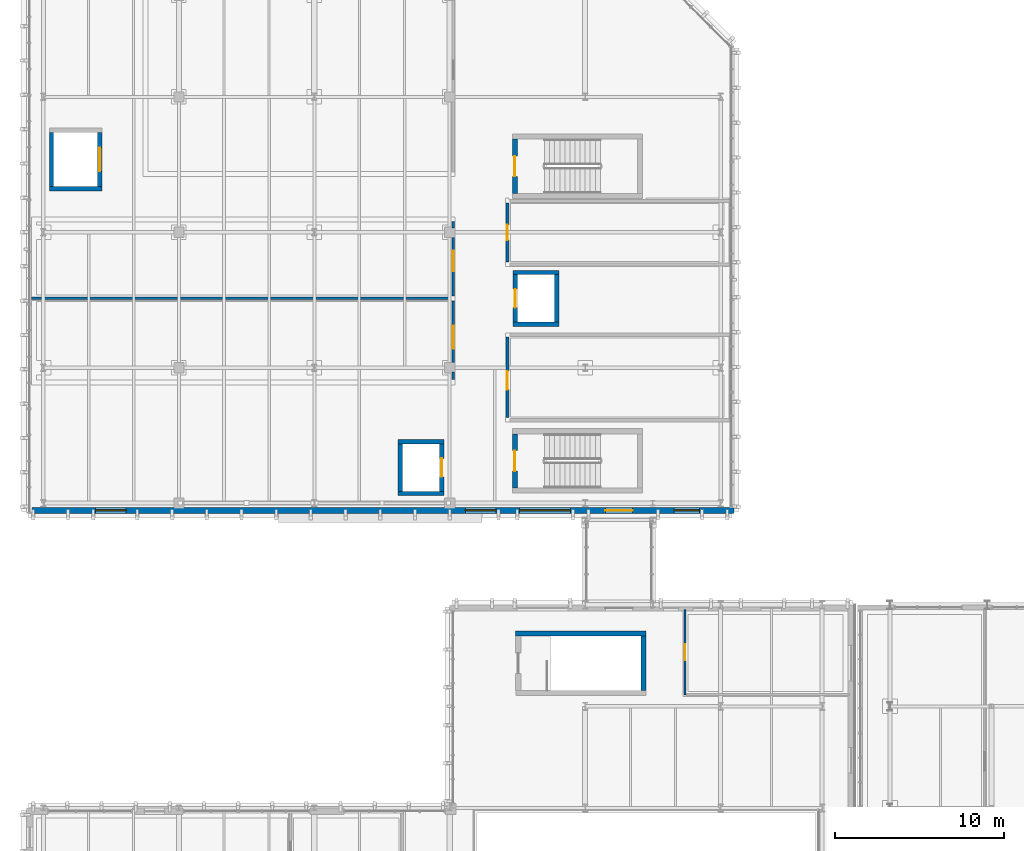
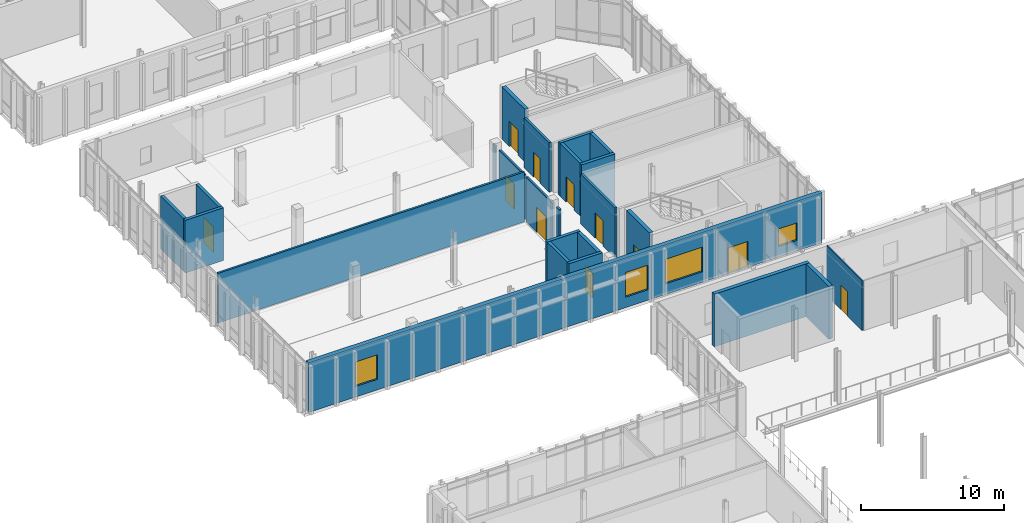
# One storey, part 69 of 100: 24 walls, 11 doors, 4 windows, 15 openings.
"""IFC4 building model written with IfcOpenShell, lengths in metres."""

from ifc_helpers import new_model, si_unit, direction, frame, frame_2d, origin, place, context, subcontext, project, spatial, rectangle, extrude, material, layer, layer_set, type_object, element, fill, save


model = new_model("IFC4")

# Units and contexts
model_context = context("Model", 3, precision=1e-05, world=origin(), true_north=direction((0.0, 1.0)))
body_context = subcontext(model_context, "Body", "Model", "MODEL_VIEW")
ifc_project = project(units=[si_unit("LENGTHUNIT", "METRE"), si_unit("AREAUNIT", "SQUARE_METRE"), si_unit("VOLUMEUNIT", "CUBIC_METRE"), si_unit("PLANEANGLEUNIT", "RADIAN"), si_unit("MASSUNIT", "GRAM", prefix="KILO")], contexts=[model_context])

# Site, building, storey
site_placement = place(None, origin())
site = spatial("IfcSite", under=ifc_project, at=site_placement, CompositionType="ELEMENT")
building_placement = place(site_placement, origin())
building = spatial("IfcBuilding", under=site, at=building_placement, Name="Cymarion Research Institute", CompositionType="ELEMENT")
storey_placement = place(building_placement, frame((0.0, 0.0, 9.300048828125)))
storey = spatial("IfcBuildingStorey", under=building, at=storey_placement, Name="L02", CompositionType="ELEMENT", Elevation=9.300048828125)

# Wall, openings, door, windows
ifc_material_1 = material(Name="Precast concrete C40/50", Category="concrete")
ifc_layer_1 = layer(ifc_material_1, 0.340087890625)
ifc_layer_set_1 = layer_set([ifc_layer_1], Name="Precast concrete C40/50")
wall_type_1 = type_object("IfcWallType", Name="EXTERIOR WALL EW-PC340 340MM", PredefinedType="SOLIDWALL", material=ifc_layer_set_1)
wall_1_placement = place(storey_placement, frame((5.922119140625, 47.070068359375, 0.0), z_axis=(0.0, 0.0, 1.0), x_axis=(1.0, 0.0, 0.0)))
wall_1 = element("IfcWall", 1, at=wall_1_placement, inside=storey, type_object=wall_type_1, Name="L02 V4 exterior wall EW-PC340 #154", PredefinedType="SOLIDWALL", context=body_context, shape_type="SweptSolid", body=[
    extrude(rectangle(XDim=41.477783203125, YDim=0.340087890625, at=frame_2d((20.73876953125, 0.0))), origin(), (0.0, 0.0, 1.0), 4.25),
])
opening_1_placement = place(wall_1_placement, frame((33.8779296875, 0.0, 0.0)))
opening_1 = element("IfcOpeningElement", 2, at=opening_1_placement, cuts=wall_1, Name="Opening D-SP1-L02-N", PredefinedType="OPENING", context=body_context, shape_type="SweptSolid", body=[
    extrude(rectangle(XDim=1.60009765625, YDim=2.199951171875, at=frame_2d((0.800048828125, 1.10009765625))), frame((0.0, 0.179931640625, 0.0), z_axis=(0.0, -1.0, 0.0), x_axis=(1.0, 0.0, 0.0)), (0.0, 0.0, 1.0), 0.360107421875),
])
opening_2_placement = place(wall_1_placement, frame((3.76806640625, 0.0, 0.89990234375)))
opening_2 = element("IfcOpeningElement", 3, at=opening_2_placement, cuts=wall_1, Name="Opening W10", PredefinedType="OPENING", context=body_context, shape_type="SweptSolid", body=[
    extrude(rectangle(XDim=1.800048828125, YDim=2.10009765625, at=frame_2d((0.89990234375, 1.050048828125))), frame((0.0, 0.179931640625, 0.0), z_axis=(0.0, -1.0, 0.0), x_axis=(1.0, 0.0, 0.0)), (0.0, 0.0, 1.0), 0.360107421875),
])
opening_3_placement = place(wall_1_placement, frame((25.60791015625, 0.0, 0.89990234375)))
opening_3 = element("IfcOpeningElement", 4, at=opening_3_placement, cuts=wall_1, Name="Opening W10", PredefinedType="OPENING", context=body_context, shape_type="SweptSolid", body=[
    extrude(rectangle(XDim=1.800048828125, YDim=2.10009765625, at=frame_2d((0.89990234375, 1.050048828125))), frame((0.0, 0.179931640625, 0.0), z_axis=(0.0, -1.0, 0.0), x_axis=(1.0, 0.0, 0.0)), (0.0, 0.0, 1.0), 0.360107421875),
])
opening_4_placement = place(wall_1_placement, frame((28.80810546875, 0.0, 0.89990234375)))
opening_4 = element("IfcOpeningElement", 5, at=opening_4_placement, cuts=wall_1, Name="Opening W14", PredefinedType="OPENING", context=body_context, shape_type="SweptSolid", body=[
    extrude(rectangle(XDim=3.0, YDim=2.10009765625, at=frame_2d((1.5, 1.050048828125))), frame((0.0, 0.179931640625, 0.0), z_axis=(0.0, -1.0, 0.0), x_axis=(1.0, 0.0, 0.0)), (0.0, 0.0, 1.0), 0.360107421875),
])
opening_5_placement = place(wall_1_placement, frame((37.927978515625, 0.0, 0.89990234375)))
opening_5 = element("IfcOpeningElement", 6, at=opening_5_placement, cuts=wall_1, Name="Opening W16", PredefinedType="OPENING", context=body_context, shape_type="SweptSolid", body=[
    extrude(rectangle(XDim=1.5, YDim=1.5, at=frame_2d((0.75, 0.75))), frame((0.0, 0.179931640625, 0.0), z_axis=(0.0, -1.0, 0.0), x_axis=(1.0, 0.0, 0.0)), (0.0, 0.0, 1.0), 0.360107421875),
])
ifc_material_2 = material(Name="Thermally broken anodised aluminium glazed door", Category="aluminium")
door_type_1 = type_object("IfcDoorType", Name="GLAZED ALUMINIUM TERRACE ACCESS DOOR DT-TR160 1600X2200", OperationType="NOTDEFINED", PredefinedType="DOOR", material=ifc_material_2)
door_1_placement = place(opening_1_placement, frame((1.60009765625, 0.0, 0.0), z_axis=(0.0, 0.0, 1.0), x_axis=(-1.0, 0.0, 0.0)))
door_1 = element("IfcDoor", 7, at=door_1_placement, inside=storey, type_object=door_type_1, Name="L02 V4 Sky-Passage Portal Door D-SP1-L02-N", OperationType="SINGLE_SWING_RIGHT", OverallHeight=2.199951171875, OverallWidth=1.60009765625, PredefinedType="DOOR", context=body_context, shape_type="SweptSolid", body=[
    extrude(rectangle(XDim=1.60009765625, YDim=2.199951171875, at=frame_2d((0.800048828125, 1.10009765625))), frame((0.0, 0.02490234375, 0.0), z_axis=(0.0, -1.0, 0.0), x_axis=(1.0, 0.0, 0.0)), (0.0, 0.0, 1.0), 0.050048828125),
])
fill(opening_1, door_1)
ifc_material_3 = material(Name="Thermally broken aluminium window with Low-E glazing", Category="aluminium")
window_type_1 = type_object("IfcWindowType", Name="THERMALLY BROKEN ALUMINIUM WINDOW W10 1800X2100", PartitioningType="DOUBLE_PANEL_VERTICAL", PredefinedType="WINDOW", material=ifc_material_3)
window_1_placement = place(opening_2_placement, origin())
window_1 = element("IfcWindow", 8, at=window_1_placement, inside=storey, type_object=window_type_1, Name="L02 V4 facade window W10 #279", OverallHeight=2.10009765625, OverallWidth=1.800048828125, PartitioningType="SINGLE_PANEL", PredefinedType="WINDOW", context=body_context, shape_type="SweptSolid", body=[
    extrude(rectangle(XDim=1.800048828125, YDim=2.10009765625, at=frame_2d((0.89990234375, 1.050048828125))), frame((0.0, 0.030029296875, 0.0), z_axis=(0.0, -1.0, 0.0), x_axis=(1.0, 0.0, 0.0)), (0.0, 0.0, 1.0), 0.06005859375),
])
fill(opening_2, window_1)
window_2_placement = place(opening_3_placement, origin())
window_2 = element("IfcWindow", 9, at=window_2_placement, inside=storey, type_object=window_type_1, Name="L02 V4 facade window W10 #280", OverallHeight=2.10009765625, OverallWidth=1.800048828125, PartitioningType="SINGLE_PANEL", PredefinedType="WINDOW", context=body_context, shape_type="SweptSolid", body=[
    extrude(rectangle(XDim=1.800048828125, YDim=2.10009765625, at=frame_2d((0.89990234375, 1.050048828125))), frame((0.0, 0.030029296875, 0.0), z_axis=(0.0, -1.0, 0.0), x_axis=(1.0, 0.0, 0.0)), (0.0, 0.0, 1.0), 0.06005859375),
])
fill(opening_3, window_2)
window_type_2 = type_object("IfcWindowType", Name="THERMALLY BROKEN ALUMINIUM WINDOW W14 3000X2100", PartitioningType="TRIPLE_PANEL_VERTICAL", PredefinedType="WINDOW", material=ifc_material_3)
window_3_placement = place(opening_4_placement, origin())
window_3 = element("IfcWindow", 10, at=window_3_placement, inside=storey, type_object=window_type_2, Name="L02 V4 facade window W14 #281", OverallHeight=2.10009765625, OverallWidth=3.0, PartitioningType="SINGLE_PANEL", PredefinedType="WINDOW", context=body_context, shape_type="SweptSolid", body=[
    extrude(rectangle(XDim=3.0, YDim=2.10009765625, at=frame_2d((1.5, 1.050048828125))), frame((0.0, 0.030029296875, 0.0), z_axis=(0.0, -1.0, 0.0), x_axis=(1.0, 0.0, 0.0)), (0.0, 0.0, 1.0), 0.06005859375),
])
fill(opening_4, window_3)
window_type_3 = type_object("IfcWindowType", Name="THERMALLY BROKEN ALUMINIUM WINDOW W16 1500X1500", PartitioningType="DOUBLE_PANEL_HORIZONTAL", PredefinedType="WINDOW", material=ifc_material_3)
window_4_placement = place(opening_5_placement, origin())
window_4 = element("IfcWindow", 11, at=window_4_placement, inside=storey, type_object=window_type_3, Name="L02 V4 facade window W16 #282", OverallHeight=1.5, OverallWidth=1.5, PartitioningType="SINGLE_PANEL", PredefinedType="WINDOW", context=body_context, shape_type="SweptSolid", body=[
    extrude(rectangle(XDim=1.5, YDim=1.5, at=frame_2d((0.75, 0.75))), frame((0.0, 0.030029296875, 0.0), z_axis=(0.0, -1.0, 0.0), x_axis=(1.0, 0.0, 0.0)), (0.0, 0.0, 1.0), 0.06005859375),
])
fill(opening_5, window_4)

# Walls
ifc_material_4 = material(Name="ISO cleanroom modular flush panel wall", Category="metal")
ifc_layer_2 = layer(ifc_material_4, 0.159912109375)
ifc_layer_set_2 = layer_set([ifc_layer_2], Name="ISO cleanroom modular flush panel wall")
wall_type_2 = type_object("IfcWallType", Name="INTERIOR PARTITION IW-CL160 160MM", PredefinedType="PARTITIONING", material=ifc_layer_set_2)
wall_2_placement = place(storey_placement, frame((5.885009765625, 59.60009765625, 0.0), z_axis=(0.0, 0.0, 1.0), x_axis=(1.0, 0.0, 0.0)))
element("IfcWall", 12, at=wall_2_placement, inside=storey, type_object=wall_type_2, Name="L02 V4 interior partition IW-CL160 #190", PredefinedType="PARTITIONING", context=body_context, shape_type="SweptSolid", body=[
    extrude(rectangle(XDim=24.764892578125, YDim=0.159912109375, at=frame_2d((12.38232421875, 0.0))), origin(), (0.0, 0.0, 1.0), 4.25),
])
wall_3_placement = place(storey_placement, frame((30.800048828125, 54.800048828125, 0.0), z_axis=(0.0, 0.0, 1.0), x_axis=(0.0, 1.0, 0.0)))
element("IfcWall", 13, at=wall_3_placement, inside=storey, type_object=wall_type_2, Name="L02 V4 interior partition IW-CL160 #191", PredefinedType="PARTITIONING", context=body_context, shape_type="SweptSolid", body=[
    extrude(rectangle(XDim=0.449951171875, YDim=0.159912109375, at=frame_2d((0.22509765625, 0.0))), origin(), (0.0, 0.0, 1.0), 3.849853515625),
])

# Wall, opening, door
wall_4_placement = place(storey_placement, frame((30.800048828125, 55.75, 0.0), z_axis=(0.0, 0.0, 1.0), x_axis=(0.0, 1.0, 0.0)))
wall_4 = element("IfcWall", 14, at=wall_4_placement, inside=storey, type_object=wall_type_2, Name="L02 V4 interior partition IW-CL160 #192", PredefinedType="PARTITIONING", context=body_context, shape_type="SweptSolid", body=[
    extrude(rectangle(XDim=3.699951171875, YDim=0.159912109375, at=frame_2d((1.85009765625, 0.0))), origin(), (0.0, 0.0, 1.0), 3.849853515625),
])
opening_6_placement = place(wall_4_placement, frame((0.873046875, 0.0, 0.0)))
opening_6 = element("IfcOpeningElement", 15, at=opening_6_placement, cuts=wall_4, Name="Opening D-L02-129", PredefinedType="OPENING", context=body_context, shape_type="SweptSolid", body=[
    extrude(rectangle(XDim=1.35009765625, YDim=2.14990234375, at=frame_2d((0.675048828125, 1.074951171875))), frame((0.0, 0.08984375, 0.0), z_axis=(0.0, -1.0, 0.0), x_axis=(1.0, 0.0, 0.0)), (0.0, 0.0, 1.0), 0.179931640625),
])
ifc_material_5 = material(Name="Flush acoustic timber/steel door assembly", Category="steel")
door_type_2 = type_object("IfcDoorType", Name="CLEANROOM GOWNING DOOR DT-CL135 1350X2150", OperationType="NOTDEFINED", PredefinedType="DOOR", material=ifc_material_5)
door_2_placement = place(opening_6_placement, origin())
door_2 = element("IfcDoor", 16, at=door_2_placement, inside=storey, type_object=door_type_2, Name="L02 Gowning Airlock door D-L02-129", OperationType="SINGLE_SWING_RIGHT", OverallHeight=2.14990234375, OverallWidth=1.35009765625, PredefinedType="DOOR", context=body_context, shape_type="SweptSolid", body=[
    extrude(rectangle(XDim=1.35009765625, YDim=2.14990234375, at=frame_2d((0.675048828125, 1.074951171875))), frame((0.0, 0.02490234375, 0.0), z_axis=(0.0, -1.0, 0.0), x_axis=(1.0, 0.0, 0.0)), (0.0, 0.0, 1.0), 0.050048828125),
])
fill(opening_6, door_2)

wall_5_placement = place(storey_placement, frame((30.800048828125, 59.75, 0.0), z_axis=(0.0, 0.0, 1.0), x_axis=(0.0, 1.0, 0.0)))
wall_5 = element("IfcWall", 17, at=wall_5_placement, inside=storey, type_object=wall_type_2, Name="L02 V4 interior partition IW-CL160 #193", PredefinedType="PARTITIONING", context=body_context, shape_type="SweptSolid", body=[
    extrude(rectangle(XDim=3.5, YDim=0.159912109375, at=frame_2d((1.75, 0.0))), origin(), (0.0, 0.0, 1.0), 3.849853515625),
])
opening_7_placement = place(wall_5_placement, frame((1.446044921875, 0.0, 0.0)))
opening_7 = element("IfcOpeningElement", 18, at=opening_7_placement, cuts=wall_5, Name="Opening D-L02-130", PredefinedType="OPENING", context=body_context, shape_type="SweptSolid", body=[
    extrude(rectangle(XDim=1.199951171875, YDim=2.14990234375, at=frame_2d((0.60009765625, 1.074951171875))), frame((0.0, 0.08984375, 0.0), z_axis=(0.0, -1.0, 0.0), x_axis=(1.0, 0.0, 0.0)), (0.0, 0.0, 1.0), 0.179931640625),
])
door_type_3 = type_object("IfcDoorType", Name="CLEANROOM AIRLOCK INTERLOCK DOOR DT-CL120 1200X2150", OperationType="NOTDEFINED", PredefinedType="DOOR", material=ifc_material_5)
door_3_placement = place(opening_7_placement, origin())
door_3 = element("IfcDoor", 19, at=door_3_placement, inside=storey, type_object=door_type_3, Name="L02 Cleanroom Bay door D-L02-130", OperationType="SINGLE_SWING_LEFT", OverallHeight=2.14990234375, OverallWidth=1.199951171875, PredefinedType="DOOR", context=body_context, shape_type="SweptSolid", body=[
    extrude(rectangle(XDim=1.199951171875, YDim=2.14990234375, at=frame_2d((0.60009765625, 1.074951171875))), frame((0.0, 0.02490234375, 0.0), z_axis=(0.0, -1.0, 0.0), x_axis=(1.0, 0.0, 0.0)), (0.0, 0.0, 1.0), 0.050048828125),
])
fill(opening_7, door_3)

# Wall
wall_6_placement = place(storey_placement, frame((30.800048828125, 63.75, 0.0), z_axis=(0.0, 0.0, 1.0), x_axis=(0.0, 1.0, 0.0)))
element("IfcWall", 20, at=wall_6_placement, inside=storey, type_object=wall_type_2, Name="L02 V4 interior partition IW-CL160 #194", PredefinedType="PARTITIONING", context=body_context, shape_type="SweptSolid", body=[
    extrude(rectangle(XDim=0.39990234375, YDim=0.159912109375, at=frame_2d((0.199951171875, 0.0))), origin(), (0.0, 0.0, 1.0), 3.849853515625),
])

# Wall, opening, door
ifc_material_6 = material(Name="Framed acoustic glass laboratory screen", Category="glass")
ifc_layer_3 = layer(ifc_material_6, 0.10009765625)
ifc_layer_set_3 = layer_set([ifc_layer_3], Name="Framed acoustic glass laboratory screen")
wall_type_3 = type_object("IfcWallType", Name="INTERIOR PARTITION IW-GL100 100MM", PredefinedType="PARTITIONING", material=ifc_layer_set_3)
wall_7_placement = place(storey_placement, frame((44.5, 36.199951171875, 0.0), z_axis=(0.0, 0.0, 1.0), x_axis=(0.0, 1.0, 0.0)))
wall_7 = element("IfcWall", 21, at=wall_7_placement, inside=storey, type_object=wall_type_3, Name="L02 V3 interior partition IW-GL100 #189", PredefinedType="PARTITIONING", context=body_context, shape_type="SweptSolid", body=[
    extrude(rectangle(XDim=4.9951171875, YDim=0.10009765625, at=frame_2d((2.49755859375, 0.0))), origin(), (0.0, 0.0, 1.0), 4.25),
])
opening_8_placement = place(wall_7_placement, frame((2.02294921875, 0.0, 0.0)))
opening_8 = element("IfcOpeningElement", 22, at=opening_8_placement, cuts=wall_7, Name="Opening D-L02-128", PredefinedType="OPENING", context=body_context, shape_type="SweptSolid", body=[
    extrude(rectangle(XDim=0.949951171875, YDim=2.10009765625, at=frame_2d((0.47509765625, 1.050048828125))), frame((0.0, 0.06005859375, 0.0), z_axis=(0.0, -1.0, 0.0), x_axis=(1.0, 0.0, 0.0)), (0.0, 0.0, 1.0), 0.1201171875),
])
door_type_4 = type_object("IfcDoorType", Name="FACULTY STUDY DOOR DT-OF095 950X2100", OperationType="NOTDEFINED", PredefinedType="DOOR", material=ifc_material_5)
door_4_placement = place(opening_8_placement, origin())
door_4 = element("IfcDoor", 23, at=door_4_placement, inside=storey, type_object=door_type_4, Name="L02 AV Booth door D-L02-128", OperationType="SINGLE_SWING_LEFT", OverallHeight=2.10009765625, OverallWidth=0.949951171875, PredefinedType="DOOR", context=body_context, shape_type="SweptSolid", body=[
    extrude(rectangle(XDim=0.949951171875, YDim=2.10009765625, at=frame_2d((0.47509765625, 1.050048828125))), frame((0.0, 0.02490234375, 0.0), z_axis=(0.0, -1.0, 0.0), x_axis=(1.0, 0.0, 0.0)), (0.0, 0.0, 1.0), 0.050048828125),
])
fill(opening_8, door_4)

ifc_material_7 = material(Name="Moisture-resistant laboratory partition", Category="gypsum")
ifc_layer_4 = layer(ifc_material_7, 0.179931640625)
ifc_layer_set_4 = layer_set([ifc_layer_4], Name="Moisture-resistant laboratory partition")
wall_type_4 = type_object("IfcWallType", Name="INTERIOR PARTITION IW-LB180 180MM", PredefinedType="PARTITIONING", material=ifc_layer_set_4)
wall_8_placement = place(storey_placement, frame((34.0, 52.550048828125, 0.0), z_axis=(0.0, 0.0, 1.0), x_axis=(0.0, 1.0, 0.0)))
wall_8 = element("IfcWall", 24, at=wall_8_placement, inside=storey, type_object=wall_type_4, Name="L02 V4 interior partition IW-LB180 #201", PredefinedType="PARTITIONING", context=body_context, shape_type="SweptSolid", body=[
    extrude(rectangle(XDim=4.77001953125, YDim=0.179931640625, at=frame_2d((2.385009765625, 0.0))), origin(), (0.0, 0.0, 1.0), 4.25),
])
opening_9_placement = place(wall_8_placement, frame((1.652099609375, 0.0, 0.0)))
opening_9 = element("IfcOpeningElement", 25, at=opening_9_placement, cuts=wall_8, Name="Opening D-L02-132", PredefinedType="OPENING", context=body_context, shape_type="SweptSolid", body=[
    extrude(rectangle(XDim=1.10009765625, YDim=2.14990234375, at=frame_2d((0.550048828125, 1.074951171875))), frame((0.0, 0.099853515625, 0.0), z_axis=(0.0, -1.0, 0.0), x_axis=(1.0, 0.0, 0.0)), (0.0, 0.0, 1.0), 0.199951171875),
])
door_type_5 = type_object("IfcDoorType", Name="LABORATORY WIDE SINGLE DOOR DT-LB110 1100X2150", OperationType="NOTDEFINED", PredefinedType="DOOR", material=ifc_material_5)
door_5_placement = place(opening_9_placement, origin())
door_5 = element("IfcDoor", 26, at=door_5_placement, inside=storey, type_object=door_type_5, Name="L02 East Lab Entry door D-L02-132", OperationType="SINGLE_SWING_LEFT", OverallHeight=2.14990234375, OverallWidth=1.10009765625, PredefinedType="DOOR", context=body_context, shape_type="SweptSolid", body=[
    extrude(rectangle(XDim=1.10009765625, YDim=2.14990234375, at=frame_2d((0.550048828125, 1.074951171875))), frame((0.0, 0.02490234375, 0.0), z_axis=(0.0, -1.0, 0.0), x_axis=(1.0, 0.0, 0.0)), (0.0, 0.0, 1.0), 0.050048828125),
])
fill(opening_9, door_5)

wall_9_placement = place(storey_placement, frame((34.0, 61.75, 0.0), z_axis=(0.0, 0.0, 1.0), x_axis=(0.0, 1.0, 0.0)))
wall_9 = element("IfcWall", 27, at=wall_9_placement, inside=storey, type_object=wall_type_4, Name="L02 V4 interior partition IW-LB180 #202", PredefinedType="PARTITIONING", context=body_context, shape_type="SweptSolid", body=[
    extrude(rectangle(XDim=3.469970703125, YDim=0.179931640625, at=frame_2d((1.73486328125, 0.0))), origin(), (0.0, 0.0, 1.0), 4.25),
])
opening_10_placement = place(wall_9_placement, frame((1.284912109375, 0.0, 0.0)))
opening_10 = element("IfcOpeningElement", 28, at=opening_10_placement, cuts=wall_9, Name="Opening D-L02-133", PredefinedType="OPENING", context=body_context, shape_type="SweptSolid", body=[
    extrude(rectangle(XDim=0.89990234375, YDim=2.10009765625, at=frame_2d((0.449951171875, 1.050048828125))), frame((0.0, 0.099853515625, 0.0), z_axis=(0.0, -1.0, 0.0), x_axis=(1.0, 0.0, 0.0)), (0.0, 0.0, 1.0), 0.199951171875),
])
door_type_6 = type_object("IfcDoorType", Name="ACCESSIBLE RESTROOM DOOR DT-WC090 900X2100", OperationType="NOTDEFINED", PredefinedType="DOOR", material=ifc_material_5)
door_6_placement = place(opening_10_placement, origin())
door_6 = element("IfcDoor", 29, at=door_6_placement, inside=storey, type_object=door_type_6, Name="L02 East WC Entry door D-L02-133", OperationType="SINGLE_SWING_RIGHT", OverallHeight=2.10009765625, OverallWidth=0.89990234375, PredefinedType="DOOR", context=body_context, shape_type="SweptSolid", body=[
    extrude(rectangle(XDim=0.89990234375, YDim=2.10009765625, at=frame_2d((0.449951171875, 1.050048828125))), frame((0.0, 0.02490234375, 0.0), z_axis=(0.0, -1.0, 0.0), x_axis=(1.0, 0.0, 0.0)), (0.0, 0.0, 1.0), 0.050048828125),
])
fill(opening_10, door_6)

# Walls
ifc_material_8 = material(Name="Concrete C40/50", Category="concrete")
ifc_layer_5 = layer(ifc_material_8, 0.25)
ifc_layer_set_5 = layer_set([ifc_layer_5], Name="Concrete C40/50")
wall_type_5 = type_object("IfcWallType", Name="REINFORCED CONCRETE CORE WALL CW-SH250 250MM", PredefinedType="SHEAR", material=ifc_layer_set_5)
for number, where, z_axis, x_axis, name in (
    (30, (27.550048828125, 48.074951171875, 0.0), (0.0, 0.0, 1.0), (1.0, 0.0, 0.0), "L02 LSH-LP1-L02 south core wall"),
    (31, (30.25, 51.125, 0.0), (0.0, 0.0, 1.0), (-1.0, 0.0, 0.0), "L02 LSH-LP1-L02 north core wall"),
):
    element("IfcWall", number, at=place(storey_placement, frame(where, z_axis=z_axis, x_axis=x_axis)), inside=storey, type_object=wall_type_5, Name=name, PredefinedType="SHEAR", context=body_context, shape_type="SweptSolid", body=[
        extrude(rectangle(XDim=2.699951171875, YDim=0.25, at=frame_2d((1.35009765625, 0.0))), origin(), (0.0, 0.0, 1.0), 4.5),
    ])
wall_10_placement = place(storey_placement, frame((27.675048828125, 51.0, 0.0), z_axis=(0.0, 0.0, 1.0), x_axis=(0.0, -1.0, 0.0)))
element("IfcWall", 32, at=wall_10_placement, inside=storey, type_object=wall_type_5, Name="L02 LSH-LP1-L02 west core wall", PredefinedType="SHEAR", context=body_context, shape_type="SweptSolid", body=[
    extrude(rectangle(XDim=2.800048828125, YDim=0.25, at=frame_2d((1.39990234375, 0.0))), origin(), (0.0, 0.0, 1.0), 4.5),
])

# Wall, opening, door
wall_11_placement = place(storey_placement, frame((30.125, 48.199951171875, 0.0), z_axis=(0.0, 0.0, 1.0), x_axis=(0.0, 1.0, 0.0)))
wall_11 = element("IfcWall", 33, at=wall_11_placement, inside=storey, type_object=wall_type_5, Name="L02 LSH-LP1-L02 east core wall", PredefinedType="SHEAR", context=body_context, shape_type="SweptSolid", body=[
    extrude(rectangle(XDim=2.800048828125, YDim=0.25, at=frame_2d((1.39990234375, 0.0))), origin(), (0.0, 0.0, 1.0), 4.5),
])
opening_11_placement = place(wall_11_placement, frame((0.85009765625, 0.0, 0.0)))
opening_11 = element("IfcOpeningElement", 34, at=opening_11_placement, cuts=wall_11, Name="Opening LD-LP1-L02", PredefinedType="OPENING", context=body_context, shape_type="SweptSolid", body=[
    extrude(rectangle(XDim=1.10009765625, YDim=2.14990234375, at=frame_2d((0.550048828125, 1.074951171875))), frame((0.0, 0.135009765625, 0.0), z_axis=(0.0, -1.0, 0.0), x_axis=(1.0, 0.0, 0.0)), (0.0, 0.0, 1.0), 0.27001953125),
])
ifc_material_9 = material(Name="Fire-rated insulated steel door assembly", Category="steel")
door_type_7 = type_object("IfcDoorType", Name="SLIDING LIFT LANDING DOOR DT-LD110 1100X2150", OperationType="DOUBLE_DOOR_SLIDING", PredefinedType="DOOR", material=ifc_material_9)
door_7_placement = place(opening_11_placement, origin())
door_7 = element("IfcDoor", 35, at=door_7_placement, inside=storey, type_object=door_type_7, Name="Lift LP1 landing door L02", OperationType="DOUBLE_DOOR_SLIDING", OverallHeight=2.14990234375, OverallWidth=1.10009765625, PredefinedType="DOOR", context=body_context, shape_type="SweptSolid", body=[
    extrude(rectangle(XDim=1.10009765625, YDim=2.14990234375, at=frame_2d((0.550048828125, 1.074951171875))), frame((0.0, 0.02490234375, 0.0), z_axis=(0.0, -1.0, 0.0), x_axis=(1.0, 0.0, 0.0)), (0.0, 0.0, 1.0), 0.050048828125),
])
fill(opening_11, door_7)

# Walls
for number, where, z_axis, x_axis, name in (
    (36, (34.35009765625, 58.074951171875, 0.0), (0.0, 0.0, 1.0), (1.0, 0.0, 0.0), "L02 LSH-LP4-L02 south core wall"),
    (37, (37.050048828125, 61.125, 0.0), (0.0, 0.0, 1.0), (-1.0, 0.0, 0.0), "L02 LSH-LP4-L02 north core wall"),
):
    element("IfcWall", number, at=place(storey_placement, frame(where, z_axis=z_axis, x_axis=x_axis)), inside=storey, type_object=wall_type_5, Name=name, PredefinedType="SHEAR", context=body_context, shape_type="SweptSolid", body=[
        extrude(rectangle(XDim=2.699951171875, YDim=0.25, at=frame_2d((1.35009765625, 0.0))), origin(), (0.0, 0.0, 1.0), 4.5),
    ])

# Wall, opening, door
wall_12_placement = place(storey_placement, frame((34.47509765625, 61.0, 0.0), z_axis=(0.0, 0.0, 1.0), x_axis=(0.0, -1.0, 0.0)))
wall_12 = element("IfcWall", 38, at=wall_12_placement, inside=storey, type_object=wall_type_5, Name="L02 LSH-LP4-L02 west core wall", PredefinedType="SHEAR", context=body_context, shape_type="SweptSolid", body=[
    extrude(rectangle(XDim=2.800048828125, YDim=0.25, at=frame_2d((1.39990234375, 0.0))), origin(), (0.0, 0.0, 1.0), 4.5),
])
opening_12_placement = place(wall_12_placement, frame((0.85009765625, 0.0, 0.0)))
opening_12 = element("IfcOpeningElement", 39, at=opening_12_placement, cuts=wall_12, Name="Opening LD-LP4-L02", PredefinedType="OPENING", context=body_context, shape_type="SweptSolid", body=[
    extrude(rectangle(XDim=1.10009765625, YDim=2.14990234375, at=frame_2d((0.550048828125, 1.074951171875))), frame((0.0, 0.135009765625, 0.0), z_axis=(0.0, -1.0, 0.0), x_axis=(1.0, 0.0, 0.0)), (0.0, 0.0, 1.0), 0.27001953125),
])
door_8_placement = place(opening_12_placement, origin())
door_8 = element("IfcDoor", 40, at=door_8_placement, inside=storey, type_object=door_type_7, Name="Lift LP4 landing door L02", OperationType="DOUBLE_DOOR_SLIDING", OverallHeight=2.14990234375, OverallWidth=1.10009765625, PredefinedType="DOOR", context=body_context, shape_type="SweptSolid", body=[
    extrude(rectangle(XDim=1.10009765625, YDim=2.14990234375, at=frame_2d((0.550048828125, 1.074951171875))), frame((0.0, 0.02490234375, 0.0), z_axis=(0.0, -1.0, 0.0), x_axis=(1.0, 0.0, 0.0)), (0.0, 0.0, 1.0), 0.050048828125),
])
fill(opening_12, door_8)

# Walls
wall_13_placement = place(storey_placement, frame((36.925048828125, 58.199951171875, 0.0), z_axis=(0.0, 0.0, 1.0), x_axis=(0.0, 1.0, 0.0)))
element("IfcWall", 41, at=wall_13_placement, inside=storey, type_object=wall_type_5, Name="L02 LSH-LP4-L02 east core wall", PredefinedType="SHEAR", context=body_context, shape_type="SweptSolid", body=[
    extrude(rectangle(XDim=2.800048828125, YDim=0.25, at=frame_2d((1.39990234375, 0.0))), origin(), (0.0, 0.0, 1.0), 4.5),
])
wall_14_placement = place(storey_placement, frame((6.949951171875, 66.074951171875, 0.0), z_axis=(0.0, 0.0, 1.0), x_axis=(1.0, 0.0, 0.0)))
element("IfcWall", 42, at=wall_14_placement, inside=storey, type_object=wall_type_5, Name="L02 LSH-LG1-L02 south core wall", PredefinedType="SHEAR", context=body_context, shape_type="SweptSolid", body=[
    extrude(rectangle(XDim=3.10009765625, YDim=0.25, at=frame_2d((1.550048828125, 0.0))), origin(), (0.0, 0.0, 1.0), 4.5),
])
wall_15_placement = place(storey_placement, frame((7.074951171875, 69.39990234375, 0.0), z_axis=(0.0, 0.0, 1.0), x_axis=(0.0, -1.0, 0.0)))
element("IfcWall", 43, at=wall_15_placement, inside=storey, type_object=wall_type_5, Name="L02 LSH-LG1-L02 west core wall", PredefinedType="SHEAR", context=body_context, shape_type="SweptSolid", body=[
    extrude(rectangle(XDim=3.199951171875, YDim=0.25, at=frame_2d((1.60009765625, 0.0))), origin(), (0.0, 0.0, 1.0), 4.5),
])

# Wall, opening, door
wall_16_placement = place(storey_placement, frame((9.925048828125, 66.199951171875, 0.0), z_axis=(0.0, 0.0, 1.0), x_axis=(0.0, 1.0, 0.0)))
wall_16 = element("IfcWall", 44, at=wall_16_placement, inside=storey, type_object=wall_type_5, Name="L02 LSH-LG1-L02 east core wall", PredefinedType="SHEAR", context=body_context, shape_type="SweptSolid", body=[
    extrude(rectangle(XDim=3.199951171875, YDim=0.25, at=frame_2d((1.60009765625, 0.0))), origin(), (0.0, 0.0, 1.0), 4.5),
])
opening_13_placement = place(wall_16_placement, frame((0.89990234375, 0.0, 0.0)))
opening_13 = element("IfcOpeningElement", 45, at=opening_13_placement, cuts=wall_16, Name="Opening LD-LG1-L02", PredefinedType="OPENING", context=body_context, shape_type="SweptSolid", body=[
    extrude(rectangle(XDim=1.39990234375, YDim=2.199951171875, at=frame_2d((0.699951171875, 1.10009765625))), frame((0.0, 0.135009765625, 0.0), z_axis=(0.0, -1.0, 0.0), x_axis=(1.0, 0.0, 0.0)), (0.0, 0.0, 1.0), 0.27001953125),
])
door_type_8 = type_object("IfcDoorType", Name="GOODS LIFT SLIDING LANDING DOOR DT-LD140 1400X2200", OperationType="DOUBLE_DOOR_SLIDING", PredefinedType="DOOR", material=ifc_material_9)
door_9_placement = place(opening_13_placement, origin())
door_9 = element("IfcDoor", 46, at=door_9_placement, inside=storey, type_object=door_type_8, Name="Lift LG1 landing door L02", OperationType="DOUBLE_DOOR_SLIDING", OverallHeight=2.199951171875, OverallWidth=1.39990234375, PredefinedType="DOOR", context=body_context, shape_type="SweptSolid", body=[
    extrude(rectangle(XDim=1.39990234375, YDim=2.199951171875, at=frame_2d((0.699951171875, 1.10009765625))), frame((0.0, 0.02490234375, 0.0), z_axis=(0.0, -1.0, 0.0), x_axis=(1.0, 0.0, 0.0)), (0.0, 0.0, 1.0), 0.050048828125),
])
fill(opening_13, door_9)

# Walls
ifc_layer_6 = layer(ifc_material_8, 0.300048828125)
ifc_layer_set_6 = layer_set([ifc_layer_6], Name="Concrete C40/50")
wall_type_6 = type_object("IfcWallType", Name="REINFORCED CONCRETE CORE WALL CW-SH300 300MM", PredefinedType="SHEAR", material=ifc_layer_set_6)
wall_17_placement = place(storey_placement, frame((42.199951171875, 39.800048828125, 0.0), z_axis=(0.0, 0.0, 1.0), x_axis=(-1.0, 0.0, 0.0)))
element("IfcWall", 47, at=wall_17_placement, inside=storey, type_object=wall_type_6, Name="L02 SHW-C6-L02 north core wall", PredefinedType="SHEAR", context=body_context, shape_type="SweptSolid", body=[
    extrude(rectangle(XDim=7.699951171875, YDim=0.300048828125, at=frame_2d((3.85009765625, 0.0))), origin(), (0.0, 0.0, 1.0), 4.5),
])
wall_18_placement = place(storey_placement, frame((42.050048828125, 36.449951171875, 0.0), z_axis=(0.0, 0.0, 1.0), x_axis=(0.0, 1.0, 0.0)))
element("IfcWall", 48, at=wall_18_placement, inside=storey, type_object=wall_type_6, Name="L02 SHW-C6-L02 east core wall", PredefinedType="SHEAR", context=body_context, shape_type="SweptSolid", body=[
    extrude(rectangle(XDim=3.199951171875, YDim=0.300048828125, at=frame_2d((1.60009765625, 0.0))), origin(), (0.0, 0.0, 1.0), 4.5),
])

# Wall, opening, door
wall_19_placement = place(storey_placement, frame((34.449951171875, 51.60009765625, 0.0), z_axis=(0.0, 0.0, 1.0), x_axis=(0.0, -1.0, 0.0)))
wall_19 = element("IfcWall", 49, at=wall_19_placement, inside=storey, type_object=wall_type_6, Name="L02 SHW-C7-L02 west core wall", PredefinedType="SHEAR", context=body_context, shape_type="SweptSolid", body=[
    extrude(rectangle(XDim=3.2001953125, YDim=0.300048828125, at=frame_2d((1.60009765625, 0.0))), origin(), (0.0, 0.0, 1.0), 4.5),
])
opening_14_placement = place(wall_19_placement, frame((1.0, 0.0, 0.0)))
opening_14 = element("IfcOpeningElement", 50, at=opening_14_placement, cuts=wall_19, Name="Opening FD-L02-ST7", PredefinedType="OPENING", context=body_context, shape_type="SweptSolid", body=[
    extrude(rectangle(XDim=1.199951171875, YDim=2.14990234375, at=frame_2d((0.60009765625, 1.074951171875))), frame((0.0, 0.159912109375, 0.0), z_axis=(0.0, -1.0, 0.0), x_axis=(1.0, 0.0, 0.0)), (0.0, 0.0, 1.0), 0.320068359375),
])
door_type_9 = type_object("IfcDoorType", Name="SMOKE PROOF STAIR FIRE DOOR DT-ST120 1200X2150", OperationType="NOTDEFINED", PredefinedType="DOOR", material=ifc_material_9)
door_10_placement = place(opening_14_placement, origin())
door_10 = element("IfcDoor", 51, at=door_10_placement, inside=storey, type_object=door_type_9, Name="L02 ST7 smoke-proof stair door FD-L02-ST7", OperationType="SINGLE_SWING_RIGHT", OverallHeight=2.14990234375, OverallWidth=1.199951171875, PredefinedType="DOOR", context=body_context, shape_type="SweptSolid", body=[
    extrude(rectangle(XDim=1.199951171875, YDim=2.14990234375, at=frame_2d((0.60009765625, 1.074951171875))), frame((0.0, 0.02490234375, 0.0), z_axis=(0.0, -1.0, 0.0), x_axis=(1.0, 0.0, 0.0)), (0.0, 0.0, 1.0), 0.050048828125),
])
fill(opening_14, door_10)

wall_20_placement = place(storey_placement, frame((34.449951171875, 69.0, 0.0), z_axis=(0.0, 0.0, 1.0), x_axis=(0.0, -1.0, 0.0)))
wall_20 = element("IfcWall", 52, at=wall_20_placement, inside=storey, type_object=wall_type_6, Name="L02 SHW-C8-L02 west core wall", PredefinedType="SHEAR", context=body_context, shape_type="SweptSolid", body=[
    extrude(rectangle(XDim=3.199951171875, YDim=0.300048828125, at=frame_2d((1.60009765625, 0.0))), origin(), (0.0, 0.0, 1.0), 4.5),
])
opening_15_placement = place(wall_20_placement, frame((1.0, 0.0, 0.0)))
opening_15 = element("IfcOpeningElement", 53, at=opening_15_placement, cuts=wall_20, Name="Opening FD-L02-ST8", PredefinedType="OPENING", context=body_context, shape_type="SweptSolid", body=[
    extrude(rectangle(XDim=1.199951171875, YDim=2.14990234375, at=frame_2d((0.60009765625, 1.074951171875))), frame((0.0, 0.159912109375, 0.0), z_axis=(0.0, -1.0, 0.0), x_axis=(1.0, 0.0, 0.0)), (0.0, 0.0, 1.0), 0.320068359375),
])
door_11_placement = place(opening_15_placement, origin())
door_11 = element("IfcDoor", 54, at=door_11_placement, inside=storey, type_object=door_type_9, Name="L02 ST8 smoke-proof stair door FD-L02-ST8", OperationType="SINGLE_SWING_LEFT", OverallHeight=2.14990234375, OverallWidth=1.199951171875, PredefinedType="DOOR", context=body_context, shape_type="SweptSolid", body=[
    extrude(rectangle(XDim=1.199951171875, YDim=2.14990234375, at=frame_2d((0.60009765625, 1.074951171875))), frame((0.0, 0.02490234375, 0.0), z_axis=(0.0, -1.0, 0.0), x_axis=(1.0, 0.0, 0.0)), (0.0, 0.0, 1.0), 0.050048828125),
])
fill(opening_15, door_11)

save(model, "model.ifc")
